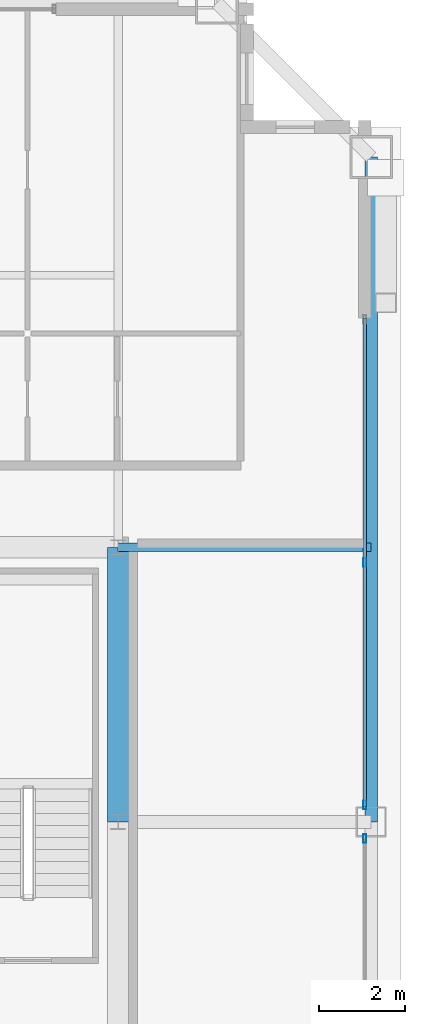
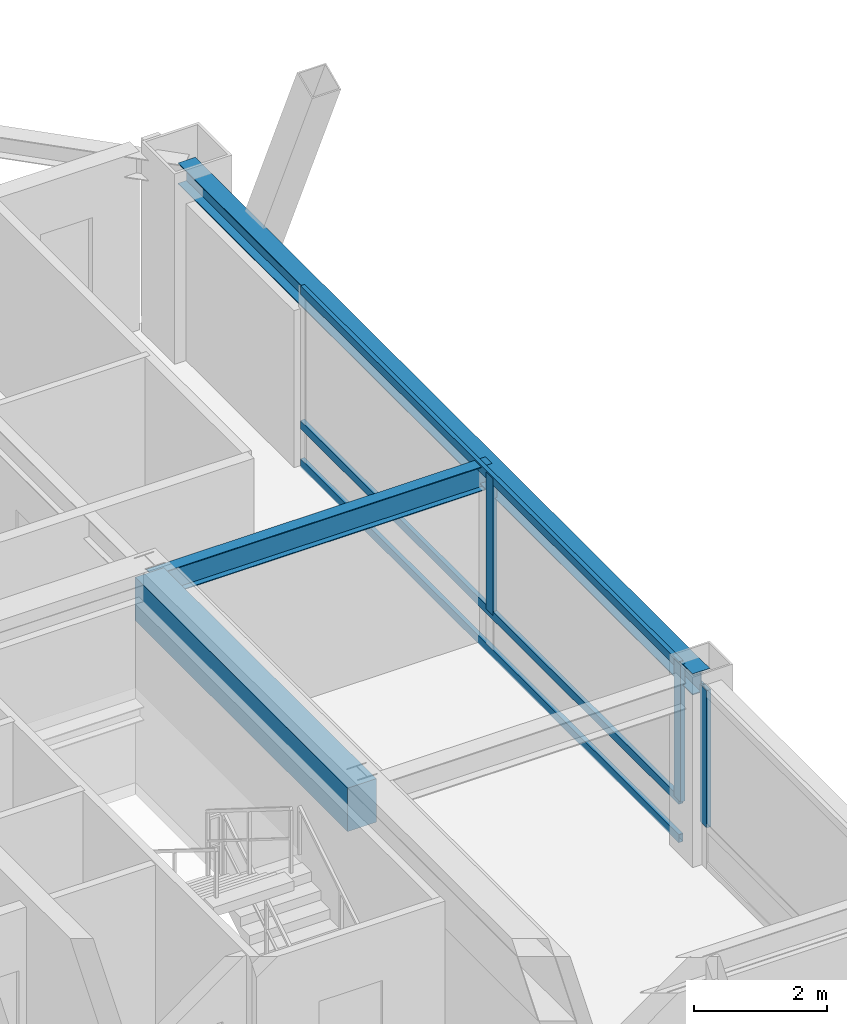
# One storey, part 14 of 35: 6 members, 3 beams, 2 elements without a shape of their own.
"""IFC4 building model written with IfcOpenShell, lengths in metres."""

from ifc_helpers import new_model, si_unit, direction, frame, origin, origin_2d, place, context, subcontext, project, spatial, rectangle, hollow_rectangle, i_section, extrude, source, transform, mapped, material, layer, layer_set, material_profile, profile_set, type_object, element, aggregate, save


model = new_model("IFC4")

# Units and contexts
model_context = context("Model", 3, precision=1e-05, world=origin(), true_north=direction((0.0, 1.0)))
body_context = subcontext(model_context, "Body", "Model", "MODEL_VIEW")
ifc_project = project(units=[si_unit("LENGTHUNIT", "METRE"), si_unit("AREAUNIT", "SQUARE_METRE"), si_unit("VOLUMEUNIT", "CUBIC_METRE"), si_unit("PLANEANGLEUNIT", "RADIAN"), si_unit("MASSUNIT", "GRAM", prefix="KILO"), si_unit("THERMODYNAMICTEMPERATUREUNIT", "KELVIN"), si_unit("POWERUNIT", "WATT")], contexts=[model_context])

# Site, building, storey
site_placement = place(None, origin())
site = spatial("IfcSite", under=ifc_project, at=site_placement, CompositionType="ELEMENT")
building_placement = place(site_placement, origin())
building = spatial("IfcBuilding", under=site, at=building_placement, Name="Yuzanri Waterfront Tower", CompositionType="ELEMENT")
storey_placement = place(building_placement, frame((0.0, 0.0, 314.699951171875)))
storey = spatial("IfcBuildingStorey", under=building, at=storey_placement, Name="L84", CompositionType="ELEMENT", Elevation=314.699951171875)

# Beams
ifc_material_1 = material(Name="Concrete C50", Category="concrete")
ifc_material_profile_1 = material_profile(ifc_material_1, rectangle(XDim=0.5, YDim=0.800048828125, at=origin_2d()), Name="RC 500x800")
ifc_profile_set_1 = profile_set([ifc_material_profile_1], Name="Concrete C50")
beam_type_1 = type_object("IfcBeamType", Name="Core Coupling Lintel Concrete C50 500x800", PredefinedType="LINTEL", material=ifc_profile_set_1)
shared_shape_1 = source(origin(), body_context, "Body", "SweptSolid", [
    extrude(rectangle(XDim=0.5, YDim=0.800048828125, at=origin_2d()), origin(), (0.0, 0.0, 1.0), 6.39990234375),
])
beam_1_placement = place(storey_placement, frame((50.199951171875, 25.800048828125, 2.880126953125), z_axis=(0.0, 1.0, 0.0), x_axis=(-1.0, 0.0, 0.0)))
element("IfcBeam", 1, at=beam_1_placement, inside=storey, type_object=beam_type_1, Name="L84 Core Tie Beam CE2", PredefinedType="LINTEL", context=body_context, shape_type="MappedRepresentation", body=[
    mapped(shared_shape_1, transform((0.0, 0.0, 0.0), scale=1.0)),
])
ifc_material_2 = material(Name="Steel Q355B", Category="steel")
ifc_material_profile_2 = material_profile(ifc_material_2, i_section(OverallWidth=0.300048828125, OverallDepth=0.389892578125, WebThickness=0.010009765625, FlangeThickness=0.01611328125, at=origin_2d()), Name="HM 390x300x10x16")
ifc_profile_set_2 = profile_set([ifc_material_profile_2], Name="Steel Q355B")
beam_type_2 = type_object("IfcBeamType", Name="Perimeter Spandrel Q355B HM 390x300", PredefinedType="SPANDREL", material=ifc_profile_set_2)
shared_shape_2 = source(origin(), body_context, "Body", "SweptSolid", [
    extrude(i_section(OverallWidth=0.300048828125, OverallDepth=0.389892578125, WebThickness=0.010009765625, FlangeThickness=0.01611328125, at=origin_2d()), origin(), (0.0, 0.0, 1.0), 15.5),
])
beam_2_placement = place(storey_placement, frame((56.10009765625, 25.800048828125, 3.0849609375), z_axis=(0.0, 1.0, 0.0), x_axis=(-1.0, 0.0, 0.0)))
element("IfcBeam", 2, at=beam_2_placement, inside=storey, type_object=beam_type_2, Name="L84 Perimeter Spandrel E2-E3", PredefinedType="SPANDREL", context=body_context, shape_type="MappedRepresentation", body=[
    mapped(shared_shape_2, transform((0.0, 0.0, 0.0), scale=1.0)),
])
ifc_material_3 = material(Name="Steel Q355B", Category="steel")
ifc_material_profile_3 = material_profile(ifc_material_3, i_section(OverallWidth=0.199951171875, OverallDepth=0.449951171875, WebThickness=0.009033203125, FlangeThickness=0.013916015625, at=origin_2d()), Name="HN 450x200x9x14")
ifc_profile_set_3 = profile_set([ifc_material_profile_3], Name="Steel Q355B")
beam_type_3 = type_object("IfcBeamType", Name="Secondary Floor Beam Q355B HN 450x200", PredefinedType="BEAM", material=ifc_profile_set_3)
shared_shape_3 = source(origin(), body_context, "Body", "SweptSolid", [
    extrude(i_section(OverallWidth=0.199951171875, OverallDepth=0.449951171875, WebThickness=0.009033203125, FlangeThickness=0.013916015625, at=origin_2d()), origin(), (0.0, 0.0, 1.0), 5.900146484375),
])
beam_3_placement = place(storey_placement, frame((50.199951171875, 32.199951171875, 3.054931640625), z_axis=(1.0, 0.0, 0.0), x_axis=(0.0, 1.0, 0.0)))
element("IfcBeam", 3, at=beam_3_placement, inside=storey, type_object=beam_type_3, Name="L84 East-North Core Line Beam", PredefinedType="BEAM", context=body_context, shape_type="MappedRepresentation", body=[
    mapped(shared_shape_3, transform((0.0, 0.0, 0.0), scale=1.0)),
])

# Curtain wall, member
ifc_material_4 = material(Name="Anodized Architectural Bronze", Category="metal")
ifc_layer = layer(ifc_material_4, 0.159912109375)
ifc_layer_set = layer_set([ifc_layer], Name="Anodized Architectural Bronze")
curtain_wall_type = type_object("IfcCurtainWallType", Name="Anodized Bronze High-Rise Penthouse High-Wind Unitized Curtain Wall 6900", PredefinedType="NOTDEFINED", material=ifc_layer_set)
curtain_wall_1_placement = place(storey_placement, origin())
curtain_wall_1 = element("IfcCurtainWall", 4, at=curtain_wall_1_placement, inside=storey, type_object=curtain_wall_type, Name="L84 Curtain Wall CW-L84-EL", PredefinedType="NOTDEFINED")
ifc_material_5 = material(Name="Anodized Architectural Bronze", Category="metal")
ifc_material_profile_4 = material_profile(ifc_material_5, hollow_rectangle(XDim=0.074951171875, YDim=0.199951171875, WallThickness=0.00390625, at=origin_2d()), Name="CWM 75x200")
ifc_profile_set_4 = profile_set([ifc_material_profile_4], Name="Anodized Architectural Bronze")
member_type_1 = type_object("IfcMemberType", Name="Anodized Bronze Primary Curtain-Wall Mullion 75x200", PredefinedType="MULLION", material=ifc_profile_set_4)
shared_shape_4 = source(origin(), body_context, "Body", "SweptSolid", [
    extrude(hollow_rectangle(XDim=0.074951171875, YDim=0.199951171875, WallThickness=0.00390625, at=origin_2d()), origin(), (0.0, 0.0, 1.0), 2.52392578125),
])
member_1_placement = place(storey_placement, frame((55.949951171875, 25.409912109375, 0.756103515625), z_axis=(0.0, 0.0, 1.0), x_axis=(1.0, 0.0, 0.0)))
member_1 = element("IfcMember", 5, at=member_1_placement, type_object=member_type_1, Name="CW-L84-EL Upper Mullion 02", PredefinedType="MULLION", context=body_context, shape_type="MappedRepresentation", body=[
    mapped(shared_shape_4, transform((0.0, 0.0, 0.0), scale=1.0)),
])
aggregate(curtain_wall_1, [member_1])

# Curtain wall, members
curtain_wall_2_placement = place(storey_placement, origin())
curtain_wall_2 = element("IfcCurtainWall", 6, at=curtain_wall_2_placement, inside=storey, type_object=curtain_wall_type, Name="L84 Curtain Wall CW-L84-ER", PredefinedType="NOTDEFINED")
member_2_placement = place(storey_placement, frame((55.949951171875, 26.18994140625, 0.756103515625), z_axis=(0.0, 0.0, 1.0), x_axis=(1.0, 0.0, 0.0)))
member_2 = element("IfcMember", 7, at=member_2_placement, type_object=member_type_1, Name="CW-L84-ER Upper Mullion 00", PredefinedType="MULLION", context=body_context, shape_type="MappedRepresentation", body=[
    mapped(shared_shape_4, transform((0.0, 0.0, 0.0), scale=1.0)),
])
member_3_placement = place(storey_placement, frame((55.949951171875, 31.85009765625, 0.756103515625), z_axis=(0.0, 0.0, 1.0), x_axis=(1.0, 0.0, 0.0)))
member_3 = element("IfcMember", 8, at=member_3_placement, type_object=member_type_1, Name="CW-L84-ER Upper Mullion 01", PredefinedType="MULLION", context=body_context, shape_type="MappedRepresentation", body=[
    mapped(shared_shape_4, transform((0.0, 0.0, 0.0), scale=1.0)),
])
ifc_material_6 = material(Name="Anodized Architectural Bronze", Category="metal")
ifc_material_profile_5 = material_profile(ifc_material_6, hollow_rectangle(XDim=0.074951171875, YDim=0.14990234375, WallThickness=0.00390625, at=origin_2d()), Name="CWT 75x150")
ifc_profile_set_5 = profile_set([ifc_material_profile_5], Name="Anodized Architectural Bronze")
member_type_2 = type_object("IfcMemberType", Name="Anodized Bronze Primary Curtain-Wall Transom 75x150", PredefinedType="USERDEFINED", material=ifc_profile_set_5)
shared_shape_5 = source(origin(), body_context, "Body", "SweptSolid", [
    extrude(hollow_rectangle(XDim=0.074951171875, YDim=0.14990234375, WallThickness=0.00390625, at=origin_2d()), origin(), (0.0, 0.0, 1.0), 11.400146484375),
])
member_4_placement = place(storey_placement, frame((55.949951171875, 26.14990234375, 0.050048828125), z_axis=(0.0, 1.0, 0.0), x_axis=(-1.0, 0.0, 0.0)))
member_4 = element("IfcMember", 9, at=member_4_placement, type_object=member_type_2, Name="CW-L84-ER Transom 1", ObjectType="TRANSOM", PredefinedType="USERDEFINED", context=body_context, shape_type="MappedRepresentation", body=[
    mapped(shared_shape_5, transform((0.0, 0.0, 0.0), scale=1.0)),
])
member_5_placement = place(storey_placement, frame((55.949951171875, 26.14990234375, 0.754150390625), z_axis=(0.0, 1.0, 0.0), x_axis=(-1.0, 0.0, 0.0)))
member_5 = element("IfcMember", 10, at=member_5_placement, type_object=member_type_2, Name="CW-L84-ER Transom 2", ObjectType="TRANSOM", PredefinedType="USERDEFINED", context=body_context, shape_type="MappedRepresentation", body=[
    mapped(shared_shape_5, transform((0.0, 0.0, 0.0), scale=1.0)),
])
member_6_placement = place(storey_placement, frame((55.949951171875, 26.14990234375, 3.22998046875), z_axis=(0.0, 1.0, 0.0), x_axis=(-1.0, 0.0, 0.0)))
member_6 = element("IfcMember", 11, at=member_6_placement, type_object=member_type_2, Name="CW-L84-ER Transom 3", ObjectType="TRANSOM", PredefinedType="USERDEFINED", context=body_context, shape_type="MappedRepresentation", body=[
    mapped(shared_shape_5, transform((0.0, 0.0, 0.0), scale=1.0)),
])
aggregate(curtain_wall_2, [member_2, member_3, member_4, member_5, member_6])

save(model, "model.ifc")
